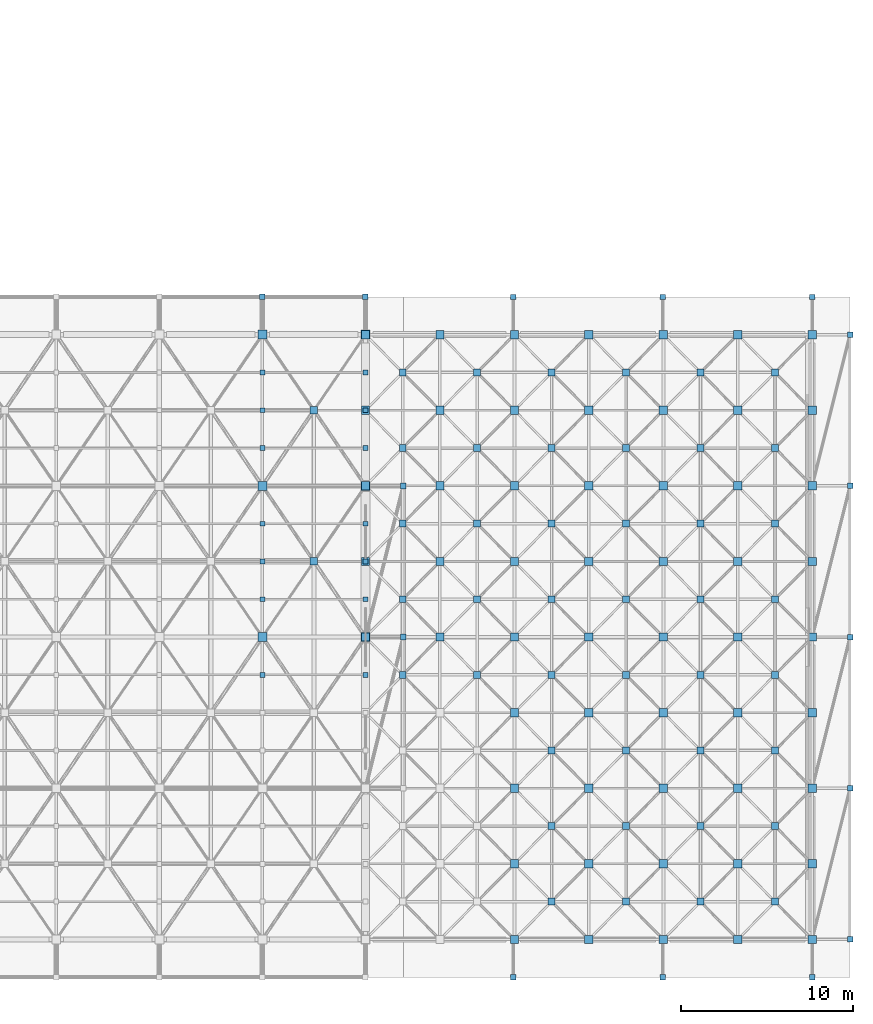
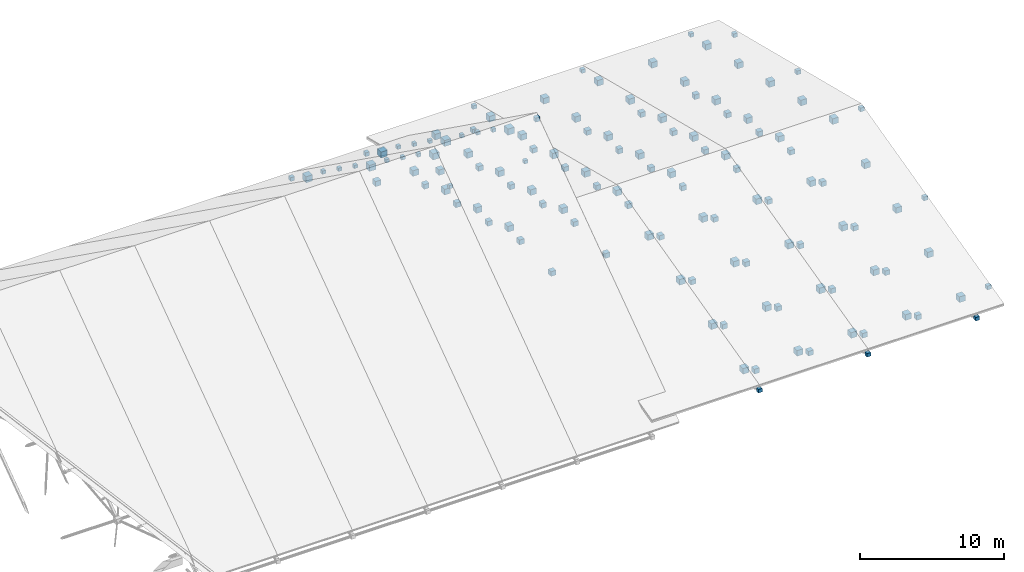
# One storey, part 38 of 55: 134 plates.
"""IFC4 building model written with IfcOpenShell, lengths in metres."""

from ifc_helpers import new_model, si_unit, direction, frame, origin, origin_2d, place, context, subcontext, project, spatial, rectangle, extrude, material, layer, layer_set, type_object, element, save


model = new_model("IFC4")

# Units and contexts
model_context = context("Model", 3, precision=1e-05, world=origin(), true_north=direction((0.0, 1.0)))
body_context = subcontext(model_context, "Body", "Model", "MODEL_VIEW")
ifc_project = project(units=[si_unit("LENGTHUNIT", "METRE"), si_unit("AREAUNIT", "SQUARE_METRE"), si_unit("VOLUMEUNIT", "CUBIC_METRE"), si_unit("PLANEANGLEUNIT", "RADIAN"), si_unit("MASSUNIT", "GRAM", prefix="KILO")], contexts=[model_context])

# Site, building, storey
site_placement = place(None, origin())
site = spatial("IfcSite", under=ifc_project, at=site_placement, CompositionType="ELEMENT")
building_placement = place(site_placement, origin())
building = spatial("IfcBuilding", under=site, at=building_placement, Name="Varnakota Cinema and Media Centre", CompositionType="ELEMENT")
storey_placement = place(building_placement, frame((0.0, 0.0, 15.60009765625)))
storey = spatial("IfcBuildingStorey", under=building, at=storey_placement, Name="L04", CompositionType="ELEMENT", Elevation=15.60009765625)

# Plates
ifc_material_1 = material(Name="Structural steel Grade 350 (E350)", Category="steel")
ifc_layer_1 = layer(ifc_material_1, 0.01611328125)
ifc_layer_set_1 = layer_set([ifc_layer_1], Name="Structural steel Grade 350 (E350)")
plate_type_1 = type_object("IfcPlateType", Name="PL-NODE-16", PredefinedType="SHEET", material=ifc_layer_set_1)
for number, where, z_axis, x_axis, name in (
    (1, (129.0, 37.39990234375, -1.43505859375), (0.0, 0.0, 1.0), (1.0, 0.0, 0.0), "V1 N eave tip node 10"),
    (2, (135.0, 37.39990234375, -1.43505859375), (0.0, 0.0, 1.0), (1.0, 0.0, 0.0), "V1 N eave tip node 11"),
):
    element("IfcPlate", number, at=place(storey_placement, frame(where, z_axis=z_axis, x_axis=x_axis)), inside=storey, type_object=plate_type_1, Name=name, PredefinedType="SHEET", context=body_context, shape_type="SweptSolid", body=[
        extrude(rectangle(XDim=0.320068359375, YDim=0.320068359375, at=origin_2d()), origin(), (0.0, 0.0, 1.0), 0.320068359375),
    ])
for number, where, z_axis, x_axis, name in (
    (3, (137.199951171875, 17.60009765625, 12.72998046875), (0.0, 0.0, 1.0), (1.0, 0.0, 0.0), "V1 E gable outrigger node 3"),
    (4, (137.199951171875, 26.39990234375, 6.4296875), (0.0, 0.0, 1.0), (1.0, 0.0, 0.0), "V1 E gable outrigger node 4"),
):
    element("IfcPlate", number, at=place(storey_placement, frame(where, z_axis=z_axis, x_axis=x_axis)), inside=storey, type_object=plate_type_1, Name=name, PredefinedType="SHEET", context=body_context, shape_type="SweptSolid", body=[
        extrude(rectangle(XDim=0.340087890625, YDim=0.340087890625, at=origin_2d()), origin(), (0.0, 0.0, 1.0), 0.340087890625),
    ])
for number, where, z_axis, x_axis, name in (
    (5, (129.0, 15.39990234375, 11.2646484375), (0.0, 0.0, 1.0), (1.0, 0.0, 0.0), "V1 purlin node plate 6.10"),
    (6, (135.0, 15.39990234375, 11.2646484375), (0.0, 0.0, 1.0), (1.0, 0.0, 0.0), "V1 purlin node plate 6.11"),
    (7, (129.0, 19.800048828125, 11.2646484375), (0.0, 0.0, 1.0), (1.0, 0.0, 0.0), "V1 purlin node plate 7.10"),
    (8, (135.0, 19.800048828125, 11.2646484375), (0.0, 0.0, 1.0), (1.0, 0.0, 0.0), "V1 purlin node plate 7.11"),
    (9, (129.0, 22.0, 9.68994140625), (0.0, 0.0, 1.0), (1.0, 0.0, 0.0), "V1 purlin node plate 8.10"),
    (10, (135.0, 22.0, 9.68994140625), (0.0, 0.0, 1.0), (1.0, 0.0, 0.0), "V1 purlin node plate 8.11"),
    (11, (129.0, 24.199951171875, 8.11474609375), (0.0, 0.0, 1.0), (1.0, 0.0, 0.0), "V1 purlin node plate 9.10"),
    (12, (135.0, 24.199951171875, 8.11474609375), (0.0, 0.0, 1.0), (1.0, 0.0, 0.0), "V1 purlin node plate 9.11"),
    (13, (129.0, 28.60009765625, 4.96484375), (0.0, 0.0, 1.0), (1.0, 0.0, 0.0), "V1 purlin node plate 10.10"),
    (14, (135.0, 28.60009765625, 4.96484375), (0.0, 0.0, 1.0), (1.0, 0.0, 0.0), "V1 purlin node plate 10.11"),
    (15, (129.0, 30.800048828125, 3.3896484375), (0.0, 0.0, 1.0), (1.0, 0.0, 0.0), "V1 purlin node plate 11.10"),
    (16, (135.0, 30.800048828125, 3.3896484375), (0.0, 0.0, 1.0), (1.0, 0.0, 0.0), "V1 purlin node plate 11.11"),
    (17, (129.0, 33.0, 1.81494140625), (0.0, 0.0, 1.0), (1.0, 0.0, 0.0), "V1 purlin node plate 12.10"),
    (18, (135.0, 33.0, 1.81494140625), (0.0, 0.0, 1.0), (1.0, 0.0, 0.0), "V1 purlin node plate 12.11"),
):
    element("IfcPlate", number, at=place(storey_placement, frame(where, z_axis=z_axis, x_axis=x_axis)), inside=storey, type_object=plate_type_1, Name=name, PredefinedType="SHEET", context=body_context, shape_type="SweptSolid", body=[
        extrude(rectangle(XDim=0.280029296875, YDim=0.280029296875, at=origin_2d()), origin(), (0.0, 0.0, 1.0), 0.280029296875),
    ])
for number, where, z_axis, x_axis, name in (
    (19, (137.166748046875, 15.39990234375, 1.050048828125), (0.0, 0.0, 1.0), (1.0, 0.0, 0.0), "V2 studio truss bottom node SN3 0-3"),
    (20, (137.166748046875, 19.800048828125, 1.050048828125), (0.0, 0.0, 1.0), (1.0, 0.0, 0.0), "V2 studio truss bottom node SN3 0-4"),
    (21, (137.166748046875, 24.199951171875, -0.050048828125), (0.0, 0.0, 1.0), (1.0, 0.0, 0.0), "V2 studio truss bottom node SN3 0-5"),
    (22, (137.166748046875, 28.60009765625, -1.150146484375), (0.0, 0.0, 1.0), (1.0, 0.0, 0.0), "V2 studio truss bottom node SN3 0-6"),
    (23, (137.166748046875, 33.0, -2.25), (0.0, 0.0, 1.0), (1.0, 0.0, 0.0), "V2 studio truss bottom node SN3 0-7"),
    (24, (141.5, 15.39990234375, 1.050048828125), (0.0, 0.0, 1.0), (1.0, 0.0, 0.0), "V2 studio truss bottom node SN3 1-3"),
    (25, (141.5, 19.800048828125, 1.050048828125), (0.0, 0.0, 1.0), (1.0, 0.0, 0.0), "V2 studio truss bottom node SN3 1-4"),
    (26, (141.5, 24.199951171875, -0.050048828125), (0.0, 0.0, 1.0), (1.0, 0.0, 0.0), "V2 studio truss bottom node SN3 1-5"),
    (27, (141.5, 28.60009765625, -1.150146484375), (0.0, 0.0, 1.0), (1.0, 0.0, 0.0), "V2 studio truss bottom node SN3 1-6"),
    (28, (141.5, 33.0, -2.25), (0.0, 0.0, 1.0), (1.0, 0.0, 0.0), "V2 studio truss bottom node SN3 1-7"),
    (29, (145.833251953125, 2.199951171875, -2.25), (0.0, 0.0, 1.0), (1.0, 0.0, 0.0), "V2 studio truss bottom node SN3 2-0"),
    (30, (145.833251953125, 6.60009765625, -1.150146484375), (0.0, 0.0, 1.0), (1.0, 0.0, 0.0), "V2 studio truss bottom node SN3 2-1"),
    (31, (145.833251953125, 11.0, -0.050048828125), (0.0, 0.0, 1.0), (1.0, 0.0, 0.0), "V2 studio truss bottom node SN3 2-2"),
    (32, (145.833251953125, 15.39990234375, 1.050048828125), (0.0, 0.0, 1.0), (1.0, 0.0, 0.0), "V2 studio truss bottom node SN3 2-3"),
    (33, (145.833251953125, 19.800048828125, 1.050048828125), (0.0, 0.0, 1.0), (1.0, 0.0, 0.0), "V2 studio truss bottom node SN3 2-4"),
    (34, (145.833251953125, 24.199951171875, -0.050048828125), (0.0, 0.0, 1.0), (1.0, 0.0, 0.0), "V2 studio truss bottom node SN3 2-5"),
    (35, (145.833251953125, 28.60009765625, -1.150146484375), (0.0, 0.0, 1.0), (1.0, 0.0, 0.0), "V2 studio truss bottom node SN3 2-6"),
    (36, (145.833251953125, 33.0, -2.25), (0.0, 0.0, 1.0), (1.0, 0.0, 0.0), "V2 studio truss bottom node SN3 2-7"),
    (37, (150.166748046875, 2.199951171875, -2.25), (0.0, 0.0, 1.0), (1.0, 0.0, 0.0), "V2 studio truss bottom node SN3 3-0"),
    (38, (150.166748046875, 6.60009765625, -1.150146484375), (0.0, 0.0, 1.0), (1.0, 0.0, 0.0), "V2 studio truss bottom node SN3 3-1"),
    (39, (150.166748046875, 11.0, -0.050048828125), (0.0, 0.0, 1.0), (1.0, 0.0, 0.0), "V2 studio truss bottom node SN3 3-2"),
    (40, (150.166748046875, 15.39990234375, 1.050048828125), (0.0, 0.0, 1.0), (1.0, 0.0, 0.0), "V2 studio truss bottom node SN3 3-3"),
    (41, (150.166748046875, 19.800048828125, 1.050048828125), (0.0, 0.0, 1.0), (1.0, 0.0, 0.0), "V2 studio truss bottom node SN3 3-4"),
    (42, (150.166748046875, 24.199951171875, -0.050048828125), (0.0, 0.0, 1.0), (1.0, 0.0, 0.0), "V2 studio truss bottom node SN3 3-5"),
    (43, (150.166748046875, 28.60009765625, -1.150146484375), (0.0, 0.0, 1.0), (1.0, 0.0, 0.0), "V2 studio truss bottom node SN3 3-6"),
    (44, (150.166748046875, 33.0, -2.25), (0.0, 0.0, 1.0), (1.0, 0.0, 0.0), "V2 studio truss bottom node SN3 3-7"),
    (45, (154.5, 2.199951171875, -2.25), (0.0, 0.0, 1.0), (1.0, 0.0, 0.0), "V2 studio truss bottom node SN3 4-0"),
    (46, (154.5, 6.60009765625, -1.150146484375), (0.0, 0.0, 1.0), (1.0, 0.0, 0.0), "V2 studio truss bottom node SN3 4-1"),
    (47, (154.5, 11.0, -0.050048828125), (0.0, 0.0, 1.0), (1.0, 0.0, 0.0), "V2 studio truss bottom node SN3 4-2"),
    (48, (154.5, 15.39990234375, 1.050048828125), (0.0, 0.0, 1.0), (1.0, 0.0, 0.0), "V2 studio truss bottom node SN3 4-3"),
    (49, (154.5, 19.800048828125, 1.050048828125), (0.0, 0.0, 1.0), (1.0, 0.0, 0.0), "V2 studio truss bottom node SN3 4-4"),
    (50, (154.5, 24.199951171875, -0.050048828125), (0.0, 0.0, 1.0), (1.0, 0.0, 0.0), "V2 studio truss bottom node SN3 4-5"),
    (51, (154.5, 28.60009765625, -1.150146484375), (0.0, 0.0, 1.0), (1.0, 0.0, 0.0), "V2 studio truss bottom node SN3 4-6"),
    (52, (154.5, 33.0, -2.25), (0.0, 0.0, 1.0), (1.0, 0.0, 0.0), "V2 studio truss bottom node SN3 4-7"),
    (53, (158.833251953125, 2.199951171875, -2.25), (0.0, 0.0, 1.0), (1.0, 0.0, 0.0), "V2 studio truss bottom node SN3 5-0"),
    (54, (158.833251953125, 6.60009765625, -1.150146484375), (0.0, 0.0, 1.0), (1.0, 0.0, 0.0), "V2 studio truss bottom node SN3 5-1"),
    (55, (158.833251953125, 11.0, -0.050048828125), (0.0, 0.0, 1.0), (1.0, 0.0, 0.0), "V2 studio truss bottom node SN3 5-2"),
    (56, (158.833251953125, 15.39990234375, 1.050048828125), (0.0, 0.0, 1.0), (1.0, 0.0, 0.0), "V2 studio truss bottom node SN3 5-3"),
    (57, (158.833251953125, 19.800048828125, 1.050048828125), (0.0, 0.0, 1.0), (1.0, 0.0, 0.0), "V2 studio truss bottom node SN3 5-4"),
    (58, (158.833251953125, 24.199951171875, -0.050048828125), (0.0, 0.0, 1.0), (1.0, 0.0, 0.0), "V2 studio truss bottom node SN3 5-5"),
    (59, (158.833251953125, 28.60009765625, -1.150146484375), (0.0, 0.0, 1.0), (1.0, 0.0, 0.0), "V2 studio truss bottom node SN3 5-6"),
    (60, (158.833251953125, 33.0, -2.25), (0.0, 0.0, 1.0), (1.0, 0.0, 0.0), "V2 studio truss bottom node SN3 5-7"),
):
    element("IfcPlate", number, at=place(storey_placement, frame(where, z_axis=z_axis, x_axis=x_axis)), inside=storey, type_object=plate_type_1, Name=name, PredefinedType="SHEET", context=body_context, shape_type="SweptSolid", body=[
        extrude(rectangle(XDim=0.39990234375, YDim=0.39990234375, at=origin_2d()), origin(), (0.0, 0.0, 1.0), 0.39990234375),
    ])
for number, where, z_axis, x_axis, name in (
    (61, (143.60009765625, -2.199951171875, -0.4501953125), (0.0, 0.0, 1.0), (1.0, 0.0, 0.0), "V2 S eave tip node 1"),
    (62, (143.60009765625, 37.39990234375, -0.4501953125), (0.0, 0.0, 1.0), (1.0, 0.0, 0.0), "V2 N eave tip node 1"),
    (63, (152.300048828125, -2.199951171875, -0.4501953125), (0.0, 0.0, 1.0), (1.0, 0.0, 0.0), "V2 S eave tip node 2"),
    (64, (152.300048828125, 37.39990234375, -0.4501953125), (0.0, 0.0, 1.0), (1.0, 0.0, 0.0), "V2 N eave tip node 2"),
    (65, (161.0, -2.199951171875, -0.4501953125), (0.0, 0.0, 1.0), (1.0, 0.0, 0.0), "V2 S eave tip node 3"),
    (66, (161.0, 37.39990234375, -0.4501953125), (0.0, 0.0, 1.0), (1.0, 0.0, 0.0), "V2 N eave tip node 3"),
):
    element("IfcPlate", number, at=place(storey_placement, frame(where, z_axis=z_axis, x_axis=x_axis)), inside=storey, type_object=plate_type_1, Name=name, PredefinedType="SHEET", context=body_context, shape_type="SweptSolid", body=[
        extrude(rectangle(XDim=0.300048828125, YDim=0.300048828125, at=origin_2d()), origin(), (0.0, 0.0, 1.0), 0.300048828125),
    ])
for number, where, z_axis, x_axis, name in (
    (67, (163.199951171875, 0.0, 0.08984375), (0.0, 0.0, 1.0), (1.0, 0.0, 0.0), "V2 East gable outrigger node 1"),
    (68, (163.199951171875, 8.800048828125, 2.2900390625), (0.0, 0.0, 1.0), (1.0, 0.0, 0.0), "V2 East gable outrigger node 2"),
    (69, (163.199951171875, 17.60009765625, 4.48974609375), (0.0, 0.0, 1.0), (1.0, 0.0, 0.0), "V2 East gable outrigger node 3"),
    (70, (163.199951171875, 26.39990234375, 2.2900390625), (0.0, 0.0, 1.0), (1.0, 0.0, 0.0), "V2 East gable outrigger node 4"),
    (71, (163.199951171875, 35.199951171875, 0.08984375), (0.0, 0.0, 1.0), (1.0, 0.0, 0.0), "V2 East gable outrigger node 5"),
):
    element("IfcPlate", number, at=place(storey_placement, frame(where, z_axis=z_axis, x_axis=x_axis)), inside=storey, type_object=plate_type_1, Name=name, PredefinedType="SHEET", context=body_context, shape_type="SweptSolid", body=[
        extrude(rectangle(XDim=0.320068359375, YDim=0.320068359375, at=origin_2d()), origin(), (0.0, 0.0, 1.0), 0.320068359375),
    ])
ifc_material_2 = material(Name="Structural steel Grade 350 (E350)", Category="steel")
ifc_layer_2 = layer(ifc_material_2, 0.01806640625)
ifc_layer_set_2 = layer_set([ifc_layer_2], Name="Structural steel Grade 350 (E350)")
plate_type_2 = type_object("IfcPlateType", Name="PL-NODE-18", PredefinedType="SHEET", material=ifc_layer_set_2)
for number, where, z_axis, x_axis, name in (
    (72, (129.0, 26.39990234375, 6.179931640625), (0.0, 0.0, 1.0), (1.0, 0.0, 0.0), "V1 space-frame top node SN1 9-3"),
    (73, (135.0, 26.39990234375, 6.179931640625), (0.0, 0.0, 1.0), (1.0, 0.0, 0.0), "V1 space-frame top node SN1 10-3"),
):
    element("IfcPlate", number, at=place(storey_placement, frame(where, z_axis=z_axis, x_axis=x_axis)), inside=storey, type_object=plate_type_2, Name=name, PredefinedType="SHEET", context=body_context, shape_type="SweptSolid", body=[
        extrude(rectangle(XDim=0.52001953125, YDim=0.52001953125, at=origin_2d()), origin(), (0.0, 0.0, 1.0), 0.52001953125),
    ])
ifc_material_3 = material(Name="Structural steel Grade 350 (E350)", Category="steel")
ifc_layer_3 = layer(ifc_material_3, 0.02001953125)
ifc_layer_set_3 = layer_set([ifc_layer_3], Name="Structural steel Grade 350 (E350)")
plate_type_3 = type_object("IfcPlateType", Name="PL-NODE-20", PredefinedType="SHEET", material=ifc_layer_set_3)
for number, where, z_axis, x_axis, name in (
    (74, (129.0, 17.60009765625, 12.47998046875), (0.0, 0.0, 1.0), (1.0, 0.0, 0.0), "V1 space-frame top node SN1 9-2"),
    (75, (129.0, 35.199951171875, -0.1201171875), (0.0, 0.0, 1.0), (1.0, 0.0, 0.0), "V1 space-frame top node SN1 9-4"),
    (76, (135.0, 17.60009765625, 12.47998046875), (0.0, 0.0, 1.0), (1.0, 0.0, 0.0), "V1 space-frame top node SN1 10-2"),
    (77, (135.0, 35.199951171875, -0.1201171875), (0.0, 0.0, 1.0), (1.0, 0.0, 0.0), "V1 space-frame top node SN1 10-4"),
):
    element("IfcPlate", number, at=place(storey_placement, frame(where, z_axis=z_axis, x_axis=x_axis)), inside=storey, type_object=plate_type_3, Name=name, PredefinedType="SHEET", context=body_context, shape_type="SweptSolid", body=[
        extrude(rectangle(XDim=0.52001953125, YDim=0.52001953125, at=origin_2d()), origin(), (0.0, 0.0, 1.0), 0.52001953125),
    ])
for number, where, z_axis, x_axis, name in (
    (78, (132.0, 22.0, 7.429931640625), (0.0, 0.0, 1.0), (1.0, 0.0, 0.0), "V1 space-frame bottom node SN2 9-2"),
    (79, (132.0, 30.800048828125, 1.1298828125), (0.0, 0.0, 1.0), (1.0, 0.0, 0.0), "V1 space-frame bottom node SN2 9-3"),
):
    element("IfcPlate", number, at=place(storey_placement, frame(where, z_axis=z_axis, x_axis=x_axis)), inside=storey, type_object=plate_type_3, Name=name, PredefinedType="SHEET", context=body_context, shape_type="SweptSolid", body=[
        extrude(rectangle(XDim=0.43994140625, YDim=0.43994140625, at=origin_2d()), origin(), (0.0, 0.0, 1.0), 0.43994140625),
    ])
for number, where, z_axis, x_axis, name in (
    (80, (135.0, 17.60009765625, 4.27001953125), (0.0, 0.0, 1.0), (1.0, 0.0, 0.0), "V2 studio truss top node SN3 0-4"),
    (81, (135.0, 22.0, 3.169921875), (0.0, 0.0, 1.0), (1.0, 0.0, 0.0), "V2 studio truss top node SN3 0-5"),
    (82, (135.0, 26.39990234375, 2.06982421875), (0.0, 0.0, 1.0), (1.0, 0.0, 0.0), "V2 studio truss top node SN3 0-6"),
    (83, (135.0, 30.800048828125, 0.969970703125), (0.0, 0.0, 1.0), (1.0, 0.0, 0.0), "V2 studio truss top node SN3 0-7"),
    (84, (135.0, 35.199951171875, -0.130126953125), (0.0, 0.0, 1.0), (1.0, 0.0, 0.0), "V2 studio truss top node SN3 0-8"),
    (85, (139.333251953125, 17.60009765625, 4.27001953125), (0.0, 0.0, 1.0), (1.0, 0.0, 0.0), "V2 studio truss top node SN3 1-4"),
    (86, (139.333251953125, 22.0, 3.169921875), (0.0, 0.0, 1.0), (1.0, 0.0, 0.0), "V2 studio truss top node SN3 1-5"),
    (87, (139.333251953125, 26.39990234375, 2.06982421875), (0.0, 0.0, 1.0), (1.0, 0.0, 0.0), "V2 studio truss top node SN3 1-6"),
    (88, (139.333251953125, 30.800048828125, 0.969970703125), (0.0, 0.0, 1.0), (1.0, 0.0, 0.0), "V2 studio truss top node SN3 1-7"),
    (89, (139.333251953125, 35.199951171875, -0.130126953125), (0.0, 0.0, 1.0), (1.0, 0.0, 0.0), "V2 studio truss top node SN3 1-8"),
    (90, (143.666748046875, 0.0, -0.130126953125), (0.0, 0.0, 1.0), (1.0, 0.0, 0.0), "V2 studio truss top node SN3 2-0"),
    (91, (143.666748046875, 4.39990234375, 0.969970703125), (0.0, 0.0, 1.0), (1.0, 0.0, 0.0), "V2 studio truss top node SN3 2-1"),
    (92, (143.666748046875, 8.800048828125, 2.06982421875), (0.0, 0.0, 1.0), (1.0, 0.0, 0.0), "V2 studio truss top node SN3 2-2"),
    (93, (143.666748046875, 13.199951171875, 3.169921875), (0.0, 0.0, 1.0), (1.0, 0.0, 0.0), "V2 studio truss top node SN3 2-3"),
    (94, (143.666748046875, 17.60009765625, 4.27001953125), (0.0, 0.0, 1.0), (1.0, 0.0, 0.0), "V2 studio truss top node SN3 2-4"),
    (95, (143.666748046875, 22.0, 3.169921875), (0.0, 0.0, 1.0), (1.0, 0.0, 0.0), "V2 studio truss top node SN3 2-5"),
    (96, (143.666748046875, 26.39990234375, 2.06982421875), (0.0, 0.0, 1.0), (1.0, 0.0, 0.0), "V2 studio truss top node SN3 2-6"),
    (97, (143.666748046875, 30.800048828125, 0.969970703125), (0.0, 0.0, 1.0), (1.0, 0.0, 0.0), "V2 studio truss top node SN3 2-7"),
    (98, (143.666748046875, 35.199951171875, -0.130126953125), (0.0, 0.0, 1.0), (1.0, 0.0, 0.0), "V2 studio truss top node SN3 2-8"),
    (99, (148.0, 0.0, -0.130126953125), (0.0, 0.0, 1.0), (1.0, 0.0, 0.0), "V2 studio truss top node SN3 3-0"),
    (100, (148.0, 4.39990234375, 0.969970703125), (0.0, 0.0, 1.0), (1.0, 0.0, 0.0), "V2 studio truss top node SN3 3-1"),
    (101, (148.0, 8.800048828125, 2.06982421875), (0.0, 0.0, 1.0), (1.0, 0.0, 0.0), "V2 studio truss top node SN3 3-2"),
    (102, (148.0, 13.199951171875, 3.169921875), (0.0, 0.0, 1.0), (1.0, 0.0, 0.0), "V2 studio truss top node SN3 3-3"),
    (103, (148.0, 17.60009765625, 4.27001953125), (0.0, 0.0, 1.0), (1.0, 0.0, 0.0), "V2 studio truss top node SN3 3-4"),
    (104, (148.0, 22.0, 3.169921875), (0.0, 0.0, 1.0), (1.0, 0.0, 0.0), "V2 studio truss top node SN3 3-5"),
    (105, (148.0, 26.39990234375, 2.06982421875), (0.0, 0.0, 1.0), (1.0, 0.0, 0.0), "V2 studio truss top node SN3 3-6"),
    (106, (148.0, 30.800048828125, 0.969970703125), (0.0, 0.0, 1.0), (1.0, 0.0, 0.0), "V2 studio truss top node SN3 3-7"),
    (107, (148.0, 35.199951171875, -0.130126953125), (0.0, 0.0, 1.0), (1.0, 0.0, 0.0), "V2 studio truss top node SN3 3-8"),
    (108, (152.333251953125, 0.0, -0.130126953125), (0.0, 0.0, 1.0), (1.0, 0.0, 0.0), "V2 studio truss top node SN3 4-0"),
    (109, (152.333251953125, 4.39990234375, 0.969970703125), (0.0, 0.0, 1.0), (1.0, 0.0, 0.0), "V2 studio truss top node SN3 4-1"),
    (110, (152.333251953125, 8.800048828125, 2.06982421875), (0.0, 0.0, 1.0), (1.0, 0.0, 0.0), "V2 studio truss top node SN3 4-2"),
    (111, (152.333251953125, 13.199951171875, 3.169921875), (0.0, 0.0, 1.0), (1.0, 0.0, 0.0), "V2 studio truss top node SN3 4-3"),
    (112, (152.333251953125, 17.60009765625, 4.27001953125), (0.0, 0.0, 1.0), (1.0, 0.0, 0.0), "V2 studio truss top node SN3 4-4"),
    (113, (152.333251953125, 22.0, 3.169921875), (0.0, 0.0, 1.0), (1.0, 0.0, 0.0), "V2 studio truss top node SN3 4-5"),
    (114, (152.333251953125, 26.39990234375, 2.06982421875), (0.0, 0.0, 1.0), (1.0, 0.0, 0.0), "V2 studio truss top node SN3 4-6"),
    (115, (152.333251953125, 30.800048828125, 0.969970703125), (0.0, 0.0, 1.0), (1.0, 0.0, 0.0), "V2 studio truss top node SN3 4-7"),
    (116, (152.333251953125, 35.199951171875, -0.130126953125), (0.0, 0.0, 1.0), (1.0, 0.0, 0.0), "V2 studio truss top node SN3 4-8"),
    (117, (156.666748046875, 0.0, -0.130126953125), (0.0, 0.0, 1.0), (1.0, 0.0, 0.0), "V2 studio truss top node SN3 5-0"),
    (118, (156.666748046875, 4.39990234375, 0.969970703125), (0.0, 0.0, 1.0), (1.0, 0.0, 0.0), "V2 studio truss top node SN3 5-1"),
    (119, (156.666748046875, 8.800048828125, 2.06982421875), (0.0, 0.0, 1.0), (1.0, 0.0, 0.0), "V2 studio truss top node SN3 5-2"),
    (120, (156.666748046875, 13.199951171875, 3.169921875), (0.0, 0.0, 1.0), (1.0, 0.0, 0.0), "V2 studio truss top node SN3 5-3"),
    (121, (156.666748046875, 17.60009765625, 4.27001953125), (0.0, 0.0, 1.0), (1.0, 0.0, 0.0), "V2 studio truss top node SN3 5-4"),
    (122, (156.666748046875, 22.0, 3.169921875), (0.0, 0.0, 1.0), (1.0, 0.0, 0.0), "V2 studio truss top node SN3 5-5"),
    (123, (156.666748046875, 26.39990234375, 2.06982421875), (0.0, 0.0, 1.0), (1.0, 0.0, 0.0), "V2 studio truss top node SN3 5-6"),
    (124, (156.666748046875, 30.800048828125, 0.969970703125), (0.0, 0.0, 1.0), (1.0, 0.0, 0.0), "V2 studio truss top node SN3 5-7"),
    (125, (156.666748046875, 35.199951171875, -0.130126953125), (0.0, 0.0, 1.0), (1.0, 0.0, 0.0), "V2 studio truss top node SN3 5-8"),
    (126, (161.0, 0.0, -0.130126953125), (0.0, 0.0, 1.0), (1.0, 0.0, 0.0), "V2 studio truss top node SN3 6-0"),
    (127, (161.0, 4.39990234375, 0.969970703125), (0.0, 0.0, 1.0), (1.0, 0.0, 0.0), "V2 studio truss top node SN3 6-1"),
    (128, (161.0, 8.800048828125, 2.06982421875), (0.0, 0.0, 1.0), (1.0, 0.0, 0.0), "V2 studio truss top node SN3 6-2"),
    (129, (161.0, 13.199951171875, 3.169921875), (0.0, 0.0, 1.0), (1.0, 0.0, 0.0), "V2 studio truss top node SN3 6-3"),
    (130, (161.0, 17.60009765625, 4.27001953125), (0.0, 0.0, 1.0), (1.0, 0.0, 0.0), "V2 studio truss top node SN3 6-4"),
    (131, (161.0, 22.0, 3.169921875), (0.0, 0.0, 1.0), (1.0, 0.0, 0.0), "V2 studio truss top node SN3 6-5"),
    (132, (161.0, 26.39990234375, 2.06982421875), (0.0, 0.0, 1.0), (1.0, 0.0, 0.0), "V2 studio truss top node SN3 6-6"),
    (133, (161.0, 30.800048828125, 0.969970703125), (0.0, 0.0, 1.0), (1.0, 0.0, 0.0), "V2 studio truss top node SN3 6-7"),
    (134, (161.0, 35.199951171875, -0.130126953125), (0.0, 0.0, 1.0), (1.0, 0.0, 0.0), "V2 studio truss top node SN3 6-8"),
):
    element("IfcPlate", number, at=place(storey_placement, frame(where, z_axis=z_axis, x_axis=x_axis)), inside=storey, type_object=plate_type_3, Name=name, PredefinedType="SHEET", context=body_context, shape_type="SweptSolid", body=[
        extrude(rectangle(XDim=0.47998046875, YDim=0.47998046875, at=origin_2d()), origin(), (0.0, 0.0, 1.0), 0.47998046875),
    ])

save(model, "model.ifc")
